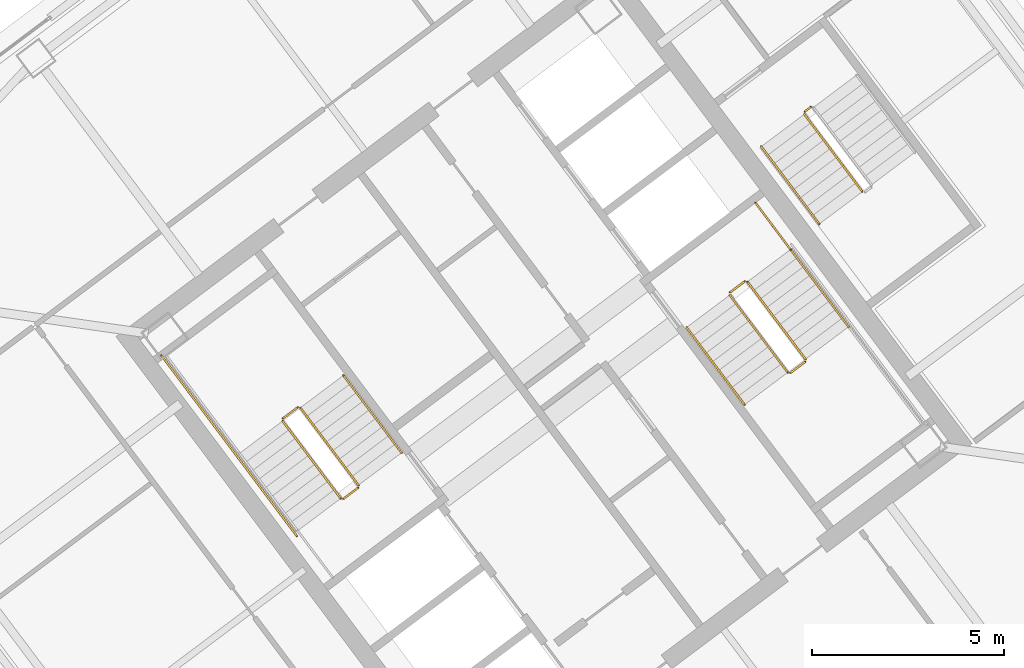
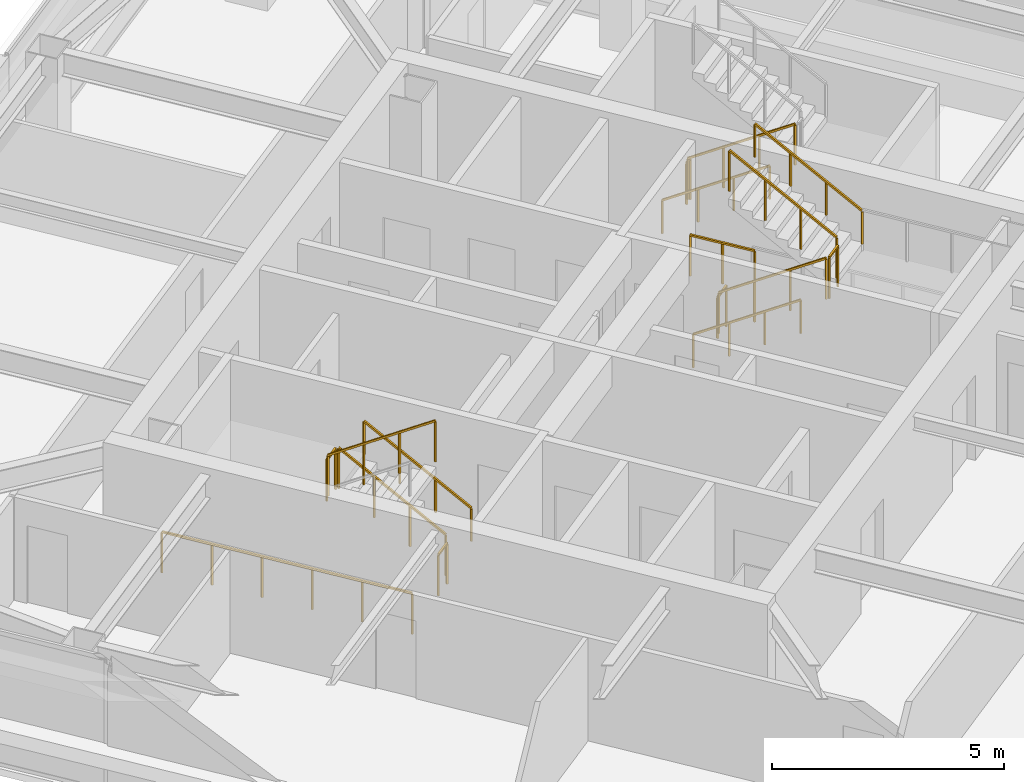
# One storey, part 37 of 39: 16 railings.
"""IFC4 building model written with IfcOpenShell, lengths in metres."""

from ifc_helpers import new_model, si_unit, direction, frame, origin, origin_2d, place, context, subcontext, project, spatial, rectangle, extrude, material, type_object, element, save


model = new_model("IFC4")

# Units and contexts
model_context = context("Model", 3, precision=1e-05, world=origin(), true_north=direction((0.0, 1.0)))
body_context = subcontext(model_context, "Body", "Model", "MODEL_VIEW")
ifc_project = project(units=[si_unit("LENGTHUNIT", "METRE"), si_unit("AREAUNIT", "SQUARE_METRE"), si_unit("VOLUMEUNIT", "CUBIC_METRE"), si_unit("PLANEANGLEUNIT", "RADIAN"), si_unit("MASSUNIT", "GRAM", prefix="KILO")], contexts=[model_context])

# Site, building, storey
site_placement = place(None, origin())
site = spatial("IfcSite", under=ifc_project, at=site_placement, CompositionType="ELEMENT")
building_placement = place(site_placement, origin())
building = spatial("IfcBuilding", under=site, at=building_placement, Name="Tashvorn Skyway Center", CompositionType="ELEMENT")
storey_placement = place(building_placement, frame((0.0, 0.0, 207.75)))
storey = spatial("IfcBuildingStorey", under=building, at=storey_placement, Name="L56", CompositionType="ELEMENT", Elevation=207.75)

# Railings
ifc_material_1 = material(Name="Brushed stainless steel 316", Category="steel")
railing_type_1 = type_object("IfcRailingType", Name="RAIL-HAND-920", PredefinedType="HANDRAIL", material=ifc_material_1)
railing_1_placement = place(storey_placement, frame((110.2880859375, 30.365966796875, 0.177490234375)))
element("IfcRailing", 1, at=railing_1_placement, inside=storey, type_object=railing_type_1, Name="L56 ST-T2-1 stair handrail 1", PredefinedType="HANDRAIL", context=body_context, shape_type="SweptSolid", body=[
    extrude(rectangle(XDim=0.048095703125, YDim=0.048095703125, at=origin_2d()), frame((0.0, 0.0, 0.8759765625), z_axis=(-0.506801609611, 0.675680931896, 0.535357270211), x_axis=(-0.799976749893, -0.600030998891, 0.0)), (0.0, 0.0, 1.0), 2.98388671875),
    extrude(rectangle(XDim=0.0419921875, YDim=0.0419921875, at=origin_2d()), origin(), (0.0, 0.0, 1.0), 0.851806640625),
    extrude(rectangle(XDim=0.0419921875, YDim=0.0419921875, at=origin_2d()), frame((-0.504150390625, 0.672119140625, 0.532470703125)), (0.0, 0.0, 1.0), 0.851806640625),
    extrude(rectangle(XDim=0.0419921875, YDim=0.0419921875, at=origin_2d()), frame((-1.008056640625, 1.343994140625, 1.06494140625)), (0.0, 0.0, 1.0), 0.851806640625),
    extrude(rectangle(XDim=0.0419921875, YDim=0.0419921875, at=origin_2d()), frame((-1.51220703125, 2.01611328125, 1.597412109375)), (0.0, 0.0, 1.0), 0.851806640625),
])
railing_2_placement = place(storey_placement, frame((117.7119140625, 33.634033203125, 0.177490234375)))
element("IfcRailing", 2, at=railing_2_placement, inside=storey, type_object=railing_type_1, Name="L56 ST-T2-2 stair handrail 1", PredefinedType="HANDRAIL", context=body_context, shape_type="SweptSolid", body=[
    extrude(rectangle(XDim=0.048095703125, YDim=0.048095703125, at=origin_2d()), frame((0.0, 0.0, 0.8759765625), z_axis=(0.506801609611, -0.675680931896, 0.535357270211), x_axis=(0.799976749893, 0.600030998891, 0.0)), (0.0, 0.0, 1.0), 2.98388671875),
    extrude(rectangle(XDim=0.0419921875, YDim=0.0419921875, at=origin_2d()), origin(), (0.0, 0.0, 1.0), 0.851806640625),
    extrude(rectangle(XDim=0.0419921875, YDim=0.0419921875, at=origin_2d()), frame((0.504150390625, -0.672119140625, 0.532470703125)), (0.0, 0.0, 1.0), 0.851806640625),
    extrude(rectangle(XDim=0.0419921875, YDim=0.0419921875, at=origin_2d()), frame((1.008056640625, -1.343994140625, 1.06494140625)), (0.0, 0.0, 1.0), 0.851806640625),
    extrude(rectangle(XDim=0.0419921875, YDim=0.0419921875, at=origin_2d()), frame((1.51220703125, -2.01611328125, 1.597412109375)), (0.0, 0.0, 1.0), 0.851806640625),
])
railing_3_placement = place(storey_placement, frame((121.927978515625, 33.64599609375, 1.952392578125)))
element("IfcRailing", 3, at=railing_3_placement, inside=storey, type_object=railing_type_1, Name="L56 ST-T2-2 stair handrail 2", PredefinedType="HANDRAIL", context=body_context, shape_type="SweptSolid", body=[
    extrude(rectangle(XDim=0.048095703125, YDim=0.048095703125, at=origin_2d()), frame((0.0, 0.0, 0.8759765625), z_axis=(-0.506718600913, 0.675679348675, 0.535437836974), x_axis=(-0.800023250257, -0.599968998406, 0.0)), (0.0, 0.0, 1.0), 2.98388671875),
    extrude(rectangle(XDim=0.0419921875, YDim=0.0419921875, at=origin_2d()), origin(), (0.0, 0.0, 1.0), 0.851806640625),
    extrude(rectangle(XDim=0.0419921875, YDim=0.0419921875, at=origin_2d()), frame((-0.50390625, 0.672119140625, 0.532470703125)), (0.0, 0.0, 1.0), 0.851806640625),
    extrude(rectangle(XDim=0.0419921875, YDim=0.0419921875, at=origin_2d()), frame((-1.008056640625, 1.343994140625, 1.065185546875)), (0.0, 0.0, 1.0), 0.851806640625),
    extrude(rectangle(XDim=0.0419921875, YDim=0.0419921875, at=origin_2d()), frame((-1.511962890625, 2.01611328125, 1.59765625)), (0.0, 0.0, 1.0), 0.851806640625),
])
railing_4_placement = place(storey_placement, frame((119.656005859375, 38.342041015625, 0.177490234375)))
element("IfcRailing", 4, at=railing_4_placement, inside=storey, type_object=railing_type_1, Name="L56 ST-T2-3 stair handrail 1", PredefinedType="HANDRAIL", context=body_context, shape_type="SweptSolid", body=[
    extrude(rectangle(XDim=0.048095703125, YDim=0.048095703125, at=origin_2d()), frame((0.0, 0.0, 0.8759765625), z_axis=(0.506740800098, -0.675708949977, 0.535379469569), x_axis=(0.800023250257, 0.599968998406, 0.0)), (0.0, 0.0, 1.0), 2.983642578125),
    extrude(rectangle(XDim=0.0419921875, YDim=0.0419921875, at=origin_2d()), origin(), (0.0, 0.0, 1.0), 0.851806640625),
    extrude(rectangle(XDim=0.0419921875, YDim=0.0419921875, at=origin_2d()), frame((0.50390625, -0.672119140625, 0.532470703125)), (0.0, 0.0, 1.0), 0.851806640625),
    extrude(rectangle(XDim=0.0419921875, YDim=0.0419921875, at=origin_2d()), frame((1.008056640625, -1.343994140625, 1.06494140625)), (0.0, 0.0, 1.0), 0.851806640625),
    extrude(rectangle(XDim=0.0419921875, YDim=0.0419921875, at=origin_2d()), frame((1.511962890625, -2.01611328125, 1.597412109375)), (0.0, 0.0, 1.0), 0.851806640625),
])
ifc_material_2 = material(Name="Painted galvanized steel S355", Category="steel")
railing_type_2 = type_object("IfcRailingType", Name="RAIL-STGUARD-1100", PredefinedType="GUARDRAIL", material=ifc_material_2)
railing_5_placement = place(storey_placement, frame((109.16796875, 29.52587890625, 0.177490234375)))
element("IfcRailing", 5, at=railing_5_placement, inside=storey, type_object=railing_type_2, Name="L56 ST-T2-1 stair guard 1", PredefinedType="GUARDRAIL", context=body_context, shape_type="SweptSolid", body=[
    extrude(rectangle(XDim=0.048095703125, YDim=0.048095703125, at=origin_2d()), frame((0.0, 0.0, 1.076171875), z_axis=(-0.506740800098, 0.675708949977, 0.535379469569), x_axis=(-0.800023250257, -0.599968998406, 0.0)), (0.0, 0.0, 1.0), 2.983642578125),
    extrude(rectangle(XDim=0.0419921875, YDim=0.0419921875, at=origin_2d()), origin(), (0.0, 0.0, 1.0), 1.052001953125),
    extrude(rectangle(XDim=0.0419921875, YDim=0.0419921875, at=origin_2d()), frame((-0.50390625, 0.672119140625, 0.532470703125)), (0.0, 0.0, 1.0), 1.052001953125),
    extrude(rectangle(XDim=0.0419921875, YDim=0.0419921875, at=origin_2d()), frame((-1.008056640625, 1.343994140625, 1.06494140625)), (0.0, 0.0, 1.0), 1.052001953125),
    extrude(rectangle(XDim=0.0419921875, YDim=0.0419921875, at=origin_2d()), frame((-1.511962890625, 2.01611328125, 1.597412109375)), (0.0, 0.0, 1.0), 1.052001953125),
])
railing_6_placement = place(storey_placement, frame((107.5859375, 31.552001953125, 1.77490234375)))
element("IfcRailing", 6, at=railing_6_placement, inside=storey, type_object=railing_type_2, Name="L56 ST-T2-1 stair guard 2", PredefinedType="GUARDRAIL", context=body_context, shape_type="SweptSolid", body=[
    extrude(rectangle(XDim=0.048095703125, YDim=0.048095703125, at=origin_2d()), frame((0.0, 0.0, 1.076171875), z_axis=(-0.799938970639, -0.600081363861, 0.0), x_axis=(0.600081363861, -0.799938970639, 0.0)), (0.0, 0.0, 1.0), 0.47998046875),
    extrude(rectangle(XDim=0.0419921875, YDim=0.0419921875, at=origin_2d()), origin(), (0.0, 0.0, 1.0), 1.052001953125),
    extrude(rectangle(XDim=0.0419921875, YDim=0.0419921875, at=origin_2d()), frame((-0.384033203125, -0.2880859375, 0.0)), (0.0, 0.0, 1.0), 1.052001953125),
])
railing_7_placement = place(storey_placement, frame((107.19189453125, 31.194091796875, 1.952392578125)))
element("IfcRailing", 7, at=railing_7_placement, inside=storey, type_object=railing_type_2, Name="L56 ST-T2-1 stair guard 4", PredefinedType="GUARDRAIL", context=body_context, shape_type="SweptSolid", body=[
    extrude(rectangle(XDim=0.048095703125, YDim=0.048095703125, at=origin_2d()), frame((0.0, 0.0, 1.076171875), z_axis=(0.506779409603, -0.675651334276, 0.53541563714), x_axis=(0.799976749893, 0.600030998891, 0.0)), (0.0, 0.0, 1.0), 2.98388671875),
    extrude(rectangle(XDim=0.0419921875, YDim=0.0419921875, at=origin_2d()), origin(), (0.0, 0.0, 1.0), 1.052001953125),
    extrude(rectangle(XDim=0.0419921875, YDim=0.0419921875, at=origin_2d()), frame((0.504150390625, -0.672119140625, 0.532470703125)), (0.0, 0.0, 1.0), 1.052001953125),
    extrude(rectangle(XDim=0.0419921875, YDim=0.0419921875, at=origin_2d()), frame((1.008056640625, -1.343994140625, 1.065185546875)), (0.0, 0.0, 1.0), 1.052001953125),
    extrude(rectangle(XDim=0.0419921875, YDim=0.0419921875, at=origin_2d()), frame((1.51220703125, -2.01611328125, 1.59765625)), (0.0, 0.0, 1.0), 1.052001953125),
])
railing_8_placement = place(storey_placement, frame((109.157958984375, 29.4560546875, 0.0)))
element("IfcRailing", 8, at=railing_8_placement, inside=storey, type_object=railing_type_2, Name="L56 ST-T2-1 stair guard 5", PredefinedType="GUARDRAIL", context=body_context, shape_type="SweptSolid", body=[
    extrude(rectangle(XDim=0.048095703125, YDim=0.048095703125, at=origin_2d()), frame((0.0, 0.0, 1.076171875), z_axis=(-0.799938970639, -0.600081363861, 0.0), x_axis=(0.600081363861, -0.799938970639, 0.0)), (0.0, 0.0, 1.0), 0.47998046875),
    extrude(rectangle(XDim=0.0419921875, YDim=0.0419921875, at=origin_2d()), origin(), (0.0, 0.0, 1.0), 1.052001953125),
    extrude(rectangle(XDim=0.0419921875, YDim=0.0419921875, at=origin_2d()), frame((-0.384033203125, -0.2880859375, 0.0)), (0.0, 0.0, 1.0), 1.052001953125),
])
railing_9_placement = place(storey_placement, frame((107.56396484375, 28.197998046875, 0.0)))
element("IfcRailing", 9, at=railing_9_placement, inside=storey, type_object=railing_type_2, Name="L56 ST-T2-1 stair guard 7", PredefinedType="GUARDRAIL", context=body_context, shape_type="SweptSolid", body=[
    extrude(rectangle(XDim=0.048095703125, YDim=0.048095703125, at=origin_2d()), frame((0.0, 0.0, 1.076171875), z_axis=(-0.6, 0.8, 0.0), x_axis=(-0.8, -0.6, 0.0)), (0.0, 0.0, 1.0), 5.880126953125),
    extrude(rectangle(XDim=0.0419921875, YDim=0.0419921875, at=origin_2d()), origin(), (0.0, 0.0, 1.0), 1.052001953125),
    extrude(rectangle(XDim=0.0419921875, YDim=0.0419921875, at=origin_2d()), frame((-0.70556640625, 0.94091796875, 0.0)), (0.0, 0.0, 1.0), 1.052001953125),
    extrude(rectangle(XDim=0.0419921875, YDim=0.0419921875, at=origin_2d()), frame((-1.4111328125, 1.881591796875, 0.0)), (0.0, 0.0, 1.0), 1.052001953125),
    extrude(rectangle(XDim=0.0419921875, YDim=0.0419921875, at=origin_2d()), frame((-2.116943359375, 2.822509765625, 0.0)), (0.0, 0.0, 1.0), 1.052001953125),
    extrude(rectangle(XDim=0.0419921875, YDim=0.0419921875, at=origin_2d()), frame((-2.822509765625, 3.76318359375, 0.0)), (0.0, 0.0, 1.0), 1.052001953125),
    extrude(rectangle(XDim=0.0419921875, YDim=0.0419921875, at=origin_2d()), frame((-3.528076171875, 4.7041015625, 0.0)), (0.0, 0.0, 1.0), 1.052001953125),
])
railing_10_placement = place(storey_placement, frame((118.83203125, 34.47412109375, 0.177490234375)))
element("IfcRailing", 10, at=railing_10_placement, inside=storey, type_object=railing_type_2, Name="L56 ST-T2-2 stair guard 1", PredefinedType="GUARDRAIL", context=body_context, shape_type="SweptSolid", body=[
    extrude(rectangle(XDim=0.048095703125, YDim=0.048095703125, at=origin_2d()), frame((0.0, 0.0, 1.076171875), z_axis=(0.506740800098, -0.675708949977, 0.535379469569), x_axis=(0.800023250257, 0.599968998406, 0.0)), (0.0, 0.0, 1.0), 2.983642578125),
    extrude(rectangle(XDim=0.0419921875, YDim=0.0419921875, at=origin_2d()), origin(), (0.0, 0.0, 1.0), 1.052001953125),
    extrude(rectangle(XDim=0.0419921875, YDim=0.0419921875, at=origin_2d()), frame((0.50390625, -0.672119140625, 0.532470703125)), (0.0, 0.0, 1.0), 1.052001953125),
    extrude(rectangle(XDim=0.0419921875, YDim=0.0419921875, at=origin_2d()), frame((1.008056640625, -1.343994140625, 1.06494140625)), (0.0, 0.0, 1.0), 1.052001953125),
    extrude(rectangle(XDim=0.0419921875, YDim=0.0419921875, at=origin_2d()), frame((1.511962890625, -2.01611328125, 1.597412109375)), (0.0, 0.0, 1.0), 1.052001953125),
])
railing_11_placement = place(storey_placement, frame((120.4140625, 32.447998046875, 1.77490234375)))
element("IfcRailing", 11, at=railing_11_placement, inside=storey, type_object=railing_type_2, Name="L56 ST-T2-2 stair guard 2", PredefinedType="GUARDRAIL", context=body_context, shape_type="SweptSolid", body=[
    extrude(rectangle(XDim=0.048095703125, YDim=0.048095703125, at=origin_2d()), frame((0.0, 0.0, 1.076171875), z_axis=(0.799938970639, 0.600081363861, 0.0), x_axis=(-0.600081363861, 0.799938970639, 0.0)), (0.0, 0.0, 1.0), 0.47998046875),
    extrude(rectangle(XDim=0.0419921875, YDim=0.0419921875, at=origin_2d()), origin(), (0.0, 0.0, 1.0), 1.052001953125),
    extrude(rectangle(XDim=0.0419921875, YDim=0.0419921875, at=origin_2d()), frame((0.384033203125, 0.2880859375, 0.0)), (0.0, 0.0, 1.0), 1.052001953125),
])
railing_12_placement = place(storey_placement, frame((120.80810546875, 32.805908203125, 1.952392578125)))
element("IfcRailing", 12, at=railing_12_placement, inside=storey, type_object=railing_type_2, Name="L56 ST-T2-2 stair guard 4", PredefinedType="GUARDRAIL", context=body_context, shape_type="SweptSolid", body=[
    extrude(rectangle(XDim=0.048095703125, YDim=0.048095703125, at=origin_2d()), frame((0.0, 0.0, 1.076171875), z_axis=(-0.506779409603, 0.675651334276, 0.53541563714), x_axis=(-0.799976749893, -0.600030998891, 0.0)), (0.0, 0.0, 1.0), 2.98388671875),
    extrude(rectangle(XDim=0.0419921875, YDim=0.0419921875, at=origin_2d()), origin(), (0.0, 0.0, 1.0), 1.052001953125),
    extrude(rectangle(XDim=0.0419921875, YDim=0.0419921875, at=origin_2d()), frame((-0.504150390625, 0.672119140625, 0.532470703125)), (0.0, 0.0, 1.0), 1.052001953125),
    extrude(rectangle(XDim=0.0419921875, YDim=0.0419921875, at=origin_2d()), frame((-1.008056640625, 1.343994140625, 1.065185546875)), (0.0, 0.0, 1.0), 1.052001953125),
    extrude(rectangle(XDim=0.0419921875, YDim=0.0419921875, at=origin_2d()), frame((-1.51220703125, 2.01611328125, 1.59765625)), (0.0, 0.0, 1.0), 1.052001953125),
])
railing_13_placement = place(storey_placement, frame((118.842041015625, 34.5439453125, 0.0)))
element("IfcRailing", 13, at=railing_13_placement, inside=storey, type_object=railing_type_2, Name="L56 ST-T2-2 stair guard 5", PredefinedType="GUARDRAIL", context=body_context, shape_type="SweptSolid", body=[
    extrude(rectangle(XDim=0.048095703125, YDim=0.048095703125, at=origin_2d()), frame((0.0, 0.0, 1.076171875), z_axis=(0.799938970639, 0.600081363861, 0.0), x_axis=(-0.600081363861, 0.799938970639, 0.0)), (0.0, 0.0, 1.0), 0.47998046875),
    extrude(rectangle(XDim=0.0419921875, YDim=0.0419921875, at=origin_2d()), origin(), (0.0, 0.0, 1.0), 1.052001953125),
    extrude(rectangle(XDim=0.0419921875, YDim=0.0419921875, at=origin_2d()), frame((0.384033203125, 0.2880859375, 0.0)), (0.0, 0.0, 1.0), 1.052001953125),
])
railing_14_placement = place(storey_placement, frame((119.50390625, 36.8779296875, 0.0)))
element("IfcRailing", 14, at=railing_14_placement, inside=storey, type_object=railing_type_2, Name="L56 ST-T2-2 stair guard 6", PredefinedType="GUARDRAIL", context=body_context, shape_type="SweptSolid", body=[
    extrude(rectangle(XDim=0.048095703125, YDim=0.048095703125, at=origin_2d()), frame((0.0, 0.0, 1.076171875), z_axis=(0.600102796382, -0.799922892393, 0.0), x_axis=(0.799922892393, 0.600102796382, 0.0)), (0.0, 0.0, 1.0), 1.52001953125),
    extrude(rectangle(XDim=0.0419921875, YDim=0.0419921875, at=origin_2d()), origin(), (0.0, 0.0, 1.0), 1.052001953125),
    extrude(rectangle(XDim=0.0419921875, YDim=0.0419921875, at=origin_2d()), frame((0.4560546875, -0.60791015625, 0.0)), (0.0, 0.0, 1.0), 1.052001953125),
    extrude(rectangle(XDim=0.0419921875, YDim=0.0419921875, at=origin_2d()), frame((0.912109375, -1.2158203125, 0.0)), (0.0, 0.0, 1.0), 1.052001953125),
])
railing_15_placement = place(storey_placement, frame((120.77587890625, 39.181884765625, 0.177490234375)))
element("IfcRailing", 15, at=railing_15_placement, inside=storey, type_object=railing_type_2, Name="L56 ST-T2-3 stair guard 1", PredefinedType="GUARDRAIL", context=body_context, shape_type="SweptSolid", body=[
    extrude(rectangle(XDim=0.048095703125, YDim=0.048095703125, at=origin_2d()), frame((0.0, 0.0, 1.076171875), z_axis=(0.506829628838, -0.67563646195, 0.535386868177), x_axis=(0.799941867976, 0.600077501544, 0.0)), (0.0, 0.0, 1.0), 2.983642578125),
    extrude(rectangle(XDim=0.0419921875, YDim=0.0419921875, at=origin_2d()), origin(), (0.0, 0.0, 1.0), 1.052001953125),
    extrude(rectangle(XDim=0.0419921875, YDim=0.0419921875, at=origin_2d()), frame((0.504150390625, -0.671875, 0.532470703125)), (0.0, 0.0, 1.0), 1.052001953125),
    extrude(rectangle(XDim=0.0419921875, YDim=0.0419921875, at=origin_2d()), frame((1.008056640625, -1.343994140625, 1.06494140625)), (0.0, 0.0, 1.0), 1.052001953125),
    extrude(rectangle(XDim=0.0419921875, YDim=0.0419921875, at=origin_2d()), frame((1.51220703125, -2.015869140625, 1.597412109375)), (0.0, 0.0, 1.0), 1.052001953125),
])
railing_16_placement = place(storey_placement, frame((120.785888671875, 39.251953125, 0.0)))
element("IfcRailing", 16, at=railing_16_placement, inside=storey, type_object=railing_type_2, Name="L56 ST-T2-3 stair guard 4", PredefinedType="GUARDRAIL", context=body_context, shape_type="SweptSolid", body=[
    extrude(rectangle(XDim=0.048095703125, YDim=0.048095703125, at=origin_2d()), frame((0.0, 0.0, 1.076171875), z_axis=(0.8, 0.6, 0.0), x_axis=(-0.6, 0.8, 0.0)), (0.0, 0.0, 1.0), 0.2001953125),
    extrude(rectangle(XDim=0.0419921875, YDim=0.0419921875, at=origin_2d()), origin(), (0.0, 0.0, 1.0), 1.052001953125),
    extrude(rectangle(XDim=0.0419921875, YDim=0.0419921875, at=origin_2d()), frame((0.16015625, 0.1201171875, 0.0)), (0.0, 0.0, 1.0), 1.052001953125),
])

save(model, "model.ifc")
